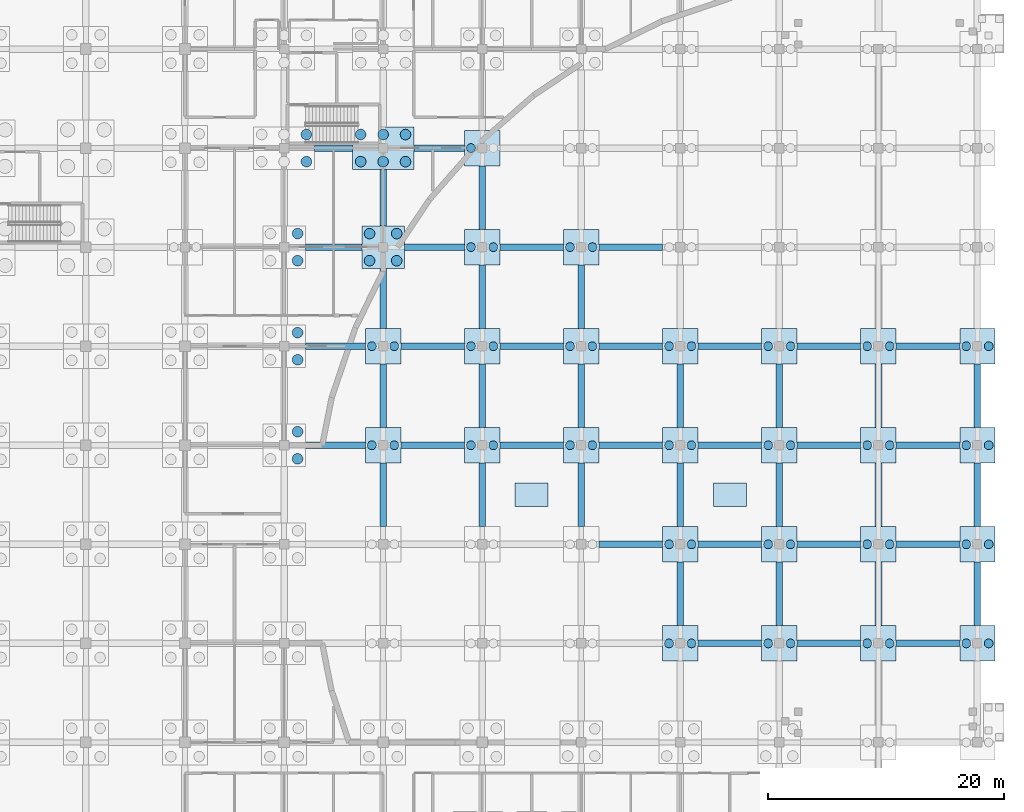
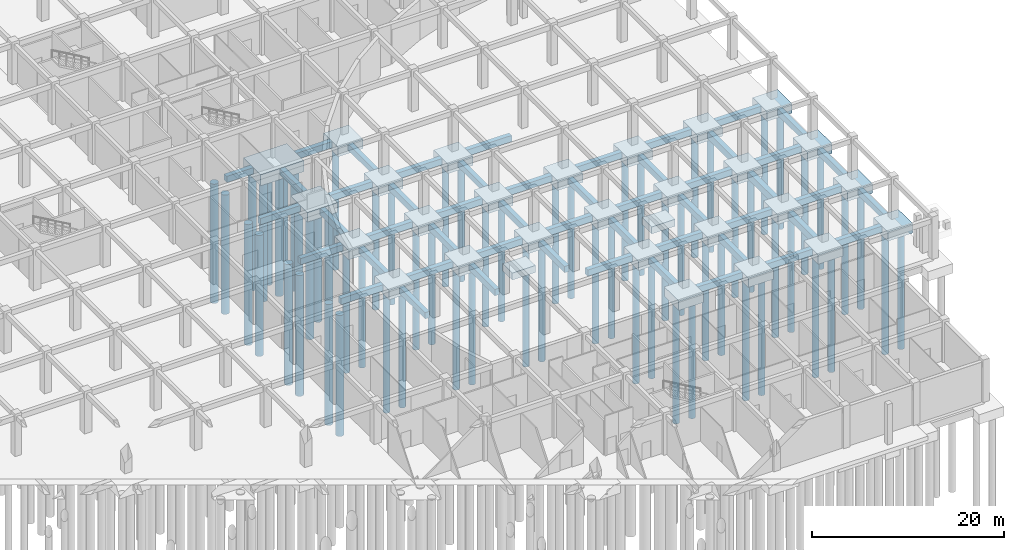
# One storey, part 14 of 65: 79 footings, 67 piles.
"""IFC4 building model written with IfcOpenShell, lengths in metres."""

from ifc_helpers import new_model, si_unit, direction, frame, origin, origin_2d, place, context, subcontext, project, spatial, rectangle, circle, extrude, material, material_profile, profile_set, type_object, element, save


model = new_model("IFC4")

# Units and contexts
model_context = context("Model", 3, precision=1e-05, world=origin(), true_north=direction((0.0, 1.0)))
body_context = subcontext(model_context, "Body", "Model", "MODEL_VIEW")
ifc_project = project(units=[si_unit("LENGTHUNIT", "METRE"), si_unit("AREAUNIT", "SQUARE_METRE"), si_unit("VOLUMEUNIT", "CUBIC_METRE"), si_unit("PLANEANGLEUNIT", "RADIAN"), si_unit("MASSUNIT", "GRAM", prefix="KILO")], contexts=[model_context])

# Site, building, storey
site_placement = place(None, origin())
site = spatial("IfcSite", under=ifc_project, at=site_placement, CompositionType="ELEMENT")
building_placement = place(site_placement, origin())
building = spatial("IfcBuilding", under=site, at=building_placement, Name="Bramfleet General Hospital", CompositionType="ELEMENT")
storey_placement = place(building_placement, frame((0.0, 0.0, -5.39990234375)))
storey = spatial("IfcBuildingStorey", under=building, at=storey_placement, Name="B1", CompositionType="ELEMENT", Elevation=-5.39990234375)

# Footings
ifc_material = material(Name="Concrete C35/45", Category="concrete")
ifc_material_profile_1 = material_profile(ifc_material, rectangle(XDim=0.550048828125, YDim=0.800048828125, at=origin_2d()), Name="RC FB 800x550")
ifc_profile_set_1 = profile_set([ifc_material_profile_1], Name="Concrete C35/45")
footing_type_1 = type_object("IfcFootingType", Name="FTG-FB-01", PredefinedType="FOOTING_BEAM", material=ifc_profile_set_1)
for number, where, z_axis, x_axis, name in (
    (1, (127.800048828125, 50.39990234375, -0.900146484375), (1.0, 0.0, 0.0), (0.0, 1.0, 0.0), "Foundation Tie Beam X 15-06"),
    (2, (127.800048828125, 58.800048828125, -0.900146484375), (1.0, 0.0, 0.0), (0.0, 1.0, 0.0), "Foundation Tie Beam X 15-07"),
):
    element("IfcFooting", number, at=place(storey_placement, frame(where, z_axis=z_axis, x_axis=x_axis)), inside=storey, type_object=footing_type_1, Name=name, PredefinedType="FOOTING_BEAM", context=body_context, shape_type="SweptSolid", body=[
        extrude(rectangle(XDim=0.550048828125, YDim=0.800048828125, at=origin_2d()), origin(), (0.0, 0.0, 1.0), 5.099853515625),
    ])
footing_1_placement = place(storey_placement, frame((127.800048828125, 67.199951171875, -0.900146484375), z_axis=(1.0, 0.0, 0.0), x_axis=(0.0, 1.0, 0.0)))
element("IfcFooting", 3, at=footing_1_placement, inside=storey, type_object=footing_type_1, Name="Foundation Tie Beam X 15-08", PredefinedType="FOOTING_BEAM", context=body_context, shape_type="SweptSolid", body=[
    extrude(rectangle(XDim=0.550048828125, YDim=0.800048828125, at=origin_2d()), origin(), (0.0, 0.0, 1.0), 4.800048828125),
])
footing_2_placement = place(storey_placement, frame((128.60009765625, 75.60009765625, -0.900146484375), z_axis=(1.0, 0.0, 0.0), x_axis=(0.0, 1.0, 0.0)))
element("IfcFooting", 4, at=footing_2_placement, inside=storey, type_object=footing_type_1, Name="Foundation Tie Beam X 15-09", PredefinedType="FOOTING_BEAM", context=body_context, shape_type="SweptSolid", body=[
    extrude(rectangle(XDim=0.550048828125, YDim=0.800048828125, at=origin_2d()), origin(), (0.0, 0.0, 1.0), 3.199951171875),
])
footing_3_placement = place(storey_placement, frame((134.39990234375, 43.5, -0.900146484375), z_axis=(0.0, 1.0, 0.0), x_axis=(-1.0, 0.0, 0.0)))
element("IfcFooting", 5, at=footing_3_placement, inside=storey, type_object=footing_type_1, Name="Foundation Tie Beam Y 16-05", PredefinedType="FOOTING_BEAM", context=body_context, shape_type="SweptSolid", body=[
    extrude(rectangle(XDim=0.550048828125, YDim=0.800048828125, at=origin_2d()), origin(), (0.0, 0.0, 1.0), 5.39990234375),
])
for number, where, z_axis, x_axis, name in (
    (6, (135.89990234375, 50.39990234375, -0.900146484375), (1.0, 0.0, 0.0), (0.0, 1.0, 0.0), "Foundation Tie Beam X 16-06"),
    (7, (134.39990234375, 51.89990234375, -0.900146484375), (0.0, 1.0, 0.0), (-1.0, 0.0, 0.0), "Foundation Tie Beam Y 16-06"),
    (8, (135.89990234375, 58.800048828125, -0.900146484375), (1.0, 0.0, 0.0), (0.0, 1.0, 0.0), "Foundation Tie Beam X 16-07"),
):
    element("IfcFooting", number, at=place(storey_placement, frame(where, z_axis=z_axis, x_axis=x_axis)), inside=storey, type_object=footing_type_1, Name=name, PredefinedType="FOOTING_BEAM", context=body_context, shape_type="SweptSolid", body=[
        extrude(rectangle(XDim=0.550048828125, YDim=0.800048828125, at=origin_2d()), origin(), (0.0, 0.0, 1.0), 5.400146484375),
    ])
footing_4_placement = place(storey_placement, frame((134.39990234375, 60.300048828125, -0.900146484375), z_axis=(0.0, 1.0, 0.0), x_axis=(-1.0, 0.0, 0.0)))
element("IfcFooting", 9, at=footing_4_placement, inside=storey, type_object=footing_type_1, Name="Foundation Tie Beam Y 16-07", PredefinedType="FOOTING_BEAM", context=body_context, shape_type="SweptSolid", body=[
    extrude(rectangle(XDim=0.550048828125, YDim=0.800048828125, at=origin_2d()), origin(), (0.0, 0.0, 1.0), 5.099853515625),
])
footing_5_placement = place(storey_placement, frame((136.199951171875, 67.199951171875, -0.900146484375), z_axis=(1.0, 0.0, 0.0), x_axis=(0.0, 1.0, 0.0)))
element("IfcFooting", 10, at=footing_5_placement, inside=storey, type_object=footing_type_1, Name="Foundation Tie Beam X 16-08", PredefinedType="FOOTING_BEAM", context=body_context, shape_type="SweptSolid", body=[
    extrude(rectangle(XDim=0.550048828125, YDim=0.800048828125, at=origin_2d()), origin(), (0.0, 0.0, 1.0), 5.10009765625),
])
footing_6_placement = place(storey_placement, frame((134.39990234375, 69.0, -0.900146484375), z_axis=(0.0, 1.0, 0.0), x_axis=(-1.0, 0.0, 0.0)))
element("IfcFooting", 11, at=footing_6_placement, inside=storey, type_object=footing_type_1, Name="Foundation Tie Beam Y 16-08", PredefinedType="FOOTING_BEAM", context=body_context, shape_type="SweptSolid", body=[
    extrude(rectangle(XDim=0.550048828125, YDim=0.800048828125, at=origin_2d()), origin(), (0.0, 0.0, 1.0), 4.800048828125),
])
footing_7_placement = place(storey_placement, frame((137.0, 75.60009765625, -0.900146484375), z_axis=(1.0, 0.0, 0.0), x_axis=(0.0, 1.0, 0.0)))
element("IfcFooting", 12, at=footing_7_placement, inside=storey, type_object=footing_type_1, Name="Foundation Tie Beam X 16-09", PredefinedType="FOOTING_BEAM", context=body_context, shape_type="SweptSolid", body=[
    extrude(rectangle(XDim=0.550048828125, YDim=0.800048828125, at=origin_2d()), origin(), (0.0, 0.0, 1.0), 4.300048828125),
])
for number, where, z_axis, x_axis, name in (
    (13, (142.800048828125, 43.5, -0.900146484375), (0.0, 1.0, 0.0), (-1.0, 0.0, 0.0), "Foundation Tie Beam Y 17-05"),
    (14, (144.300048828125, 50.39990234375, -0.900146484375), (1.0, 0.0, 0.0), (0.0, 1.0, 0.0), "Foundation Tie Beam X 17-06"),
):
    element("IfcFooting", number, at=place(storey_placement, frame(where, z_axis=z_axis, x_axis=x_axis)), inside=storey, type_object=footing_type_1, Name=name, PredefinedType="FOOTING_BEAM", context=body_context, shape_type="SweptSolid", body=[
        extrude(rectangle(XDim=0.550048828125, YDim=0.800048828125, at=origin_2d()), origin(), (0.0, 0.0, 1.0), 5.39990234375),
    ])
footing_8_placement = place(storey_placement, frame((142.800048828125, 51.89990234375, -0.900146484375), z_axis=(0.0, 1.0, 0.0), x_axis=(-1.0, 0.0, 0.0)))
element("IfcFooting", 15, at=footing_8_placement, inside=storey, type_object=footing_type_1, Name="Foundation Tie Beam Y 17-06", PredefinedType="FOOTING_BEAM", context=body_context, shape_type="SweptSolid", body=[
    extrude(rectangle(XDim=0.550048828125, YDim=0.800048828125, at=origin_2d()), origin(), (0.0, 0.0, 1.0), 5.400146484375),
])
for number, where, z_axis, x_axis, name in (
    (16, (144.300048828125, 58.800048828125, -0.900146484375), (1.0, 0.0, 0.0), (0.0, 1.0, 0.0), "Foundation Tie Beam X 17-07"),
    (17, (142.800048828125, 60.300048828125, -0.900146484375), (0.0, 1.0, 0.0), (-1.0, 0.0, 0.0), "Foundation Tie Beam Y 17-07"),
    (18, (144.300048828125, 67.199951171875, -0.900146484375), (1.0, 0.0, 0.0), (0.0, 1.0, 0.0), "Foundation Tie Beam X 17-08"),
):
    element("IfcFooting", number, at=place(storey_placement, frame(where, z_axis=z_axis, x_axis=x_axis)), inside=storey, type_object=footing_type_1, Name=name, PredefinedType="FOOTING_BEAM", context=body_context, shape_type="SweptSolid", body=[
        extrude(rectangle(XDim=0.550048828125, YDim=0.800048828125, at=origin_2d()), origin(), (0.0, 0.0, 1.0), 5.39990234375),
    ])
for number, where, z_axis, x_axis, name in (
    (19, (142.800048828125, 68.699951171875, -0.900146484375), (0.0, 1.0, 0.0), (-1.0, 0.0, 0.0), "Foundation Tie Beam Y 17-08"),
    (20, (152.699951171875, 42.0, -0.900146484375), (1.0, 0.0, 0.0), (0.0, 1.0, 0.0), "Foundation Tie Beam X 18-05"),
):
    element("IfcFooting", number, at=place(storey_placement, frame(where, z_axis=z_axis, x_axis=x_axis)), inside=storey, type_object=footing_type_1, Name=name, PredefinedType="FOOTING_BEAM", context=body_context, shape_type="SweptSolid", body=[
        extrude(rectangle(XDim=0.550048828125, YDim=0.800048828125, at=origin_2d()), origin(), (0.0, 0.0, 1.0), 5.400146484375),
    ])
footing_9_placement = place(storey_placement, frame((151.199951171875, 43.5, -0.900146484375), z_axis=(0.0, 1.0, 0.0), x_axis=(-1.0, 0.0, 0.0)))
element("IfcFooting", 21, at=footing_9_placement, inside=storey, type_object=footing_type_1, Name="Foundation Tie Beam Y 18-05", PredefinedType="FOOTING_BEAM", context=body_context, shape_type="SweptSolid", body=[
    extrude(rectangle(XDim=0.550048828125, YDim=0.800048828125, at=origin_2d()), origin(), (0.0, 0.0, 1.0), 5.39990234375),
])
for number, where, z_axis, x_axis, name in (
    (22, (152.699951171875, 50.39990234375, -0.900146484375), (1.0, 0.0, 0.0), (0.0, 1.0, 0.0), "Foundation Tie Beam X 18-06"),
    (23, (151.199951171875, 51.89990234375, -0.900146484375), (0.0, 1.0, 0.0), (-1.0, 0.0, 0.0), "Foundation Tie Beam Y 18-06"),
    (24, (152.699951171875, 58.800048828125, -0.900146484375), (1.0, 0.0, 0.0), (0.0, 1.0, 0.0), "Foundation Tie Beam X 18-07"),
):
    element("IfcFooting", number, at=place(storey_placement, frame(where, z_axis=z_axis, x_axis=x_axis)), inside=storey, type_object=footing_type_1, Name=name, PredefinedType="FOOTING_BEAM", context=body_context, shape_type="SweptSolid", body=[
        extrude(rectangle(XDim=0.550048828125, YDim=0.800048828125, at=origin_2d()), origin(), (0.0, 0.0, 1.0), 5.400146484375),
    ])
footing_10_placement = place(storey_placement, frame((151.199951171875, 60.300048828125, -0.900146484375), z_axis=(0.0, 1.0, 0.0), x_axis=(-1.0, 0.0, 0.0)))
element("IfcFooting", 25, at=footing_10_placement, inside=storey, type_object=footing_type_1, Name="Foundation Tie Beam Y 18-07", PredefinedType="FOOTING_BEAM", context=body_context, shape_type="SweptSolid", body=[
    extrude(rectangle(XDim=0.550048828125, YDim=0.800048828125, at=origin_2d()), origin(), (0.0, 0.0, 1.0), 5.39990234375),
])
footing_11_placement = place(storey_placement, frame((152.699951171875, 67.199951171875, -0.900146484375), z_axis=(1.0, 0.0, 0.0), x_axis=(0.0, 1.0, 0.0)))
element("IfcFooting", 26, at=footing_11_placement, inside=storey, type_object=footing_type_1, Name="Foundation Tie Beam X 18-08", PredefinedType="FOOTING_BEAM", context=body_context, shape_type="SweptSolid", body=[
    extrude(rectangle(XDim=0.550048828125, YDim=0.800048828125, at=origin_2d()), origin(), (0.0, 0.0, 1.0), 5.400146484375),
])
for number, where, z_axis, x_axis, name in (
    (27, (161.10009765625, 33.60009765625, -0.900146484375), (1.0, 0.0, 0.0), (0.0, 1.0, 0.0), "Foundation Tie Beam X 19-04"),
    (28, (159.60009765625, 35.10009765625, -0.900146484375), (0.0, 1.0, 0.0), (-1.0, 0.0, 0.0), "Foundation Tie Beam Y 19-04"),
    (29, (161.10009765625, 42.0, -0.900146484375), (1.0, 0.0, 0.0), (0.0, 1.0, 0.0), "Foundation Tie Beam X 19-05"),
    (30, (159.60009765625, 43.5, -0.900146484375), (0.0, 1.0, 0.0), (-1.0, 0.0, 0.0), "Foundation Tie Beam Y 19-05"),
    (31, (161.10009765625, 50.39990234375, -0.900146484375), (1.0, 0.0, 0.0), (0.0, 1.0, 0.0), "Foundation Tie Beam X 19-06"),
):
    element("IfcFooting", number, at=place(storey_placement, frame(where, z_axis=z_axis, x_axis=x_axis)), inside=storey, type_object=footing_type_1, Name=name, PredefinedType="FOOTING_BEAM", context=body_context, shape_type="SweptSolid", body=[
        extrude(rectangle(XDim=0.550048828125, YDim=0.800048828125, at=origin_2d()), origin(), (0.0, 0.0, 1.0), 5.39990234375),
    ])
footing_12_placement = place(storey_placement, frame((159.60009765625, 51.89990234375, -0.900146484375), z_axis=(0.0, 1.0, 0.0), x_axis=(-1.0, 0.0, 0.0)))
element("IfcFooting", 32, at=footing_12_placement, inside=storey, type_object=footing_type_1, Name="Foundation Tie Beam Y 19-06", PredefinedType="FOOTING_BEAM", context=body_context, shape_type="SweptSolid", body=[
    extrude(rectangle(XDim=0.550048828125, YDim=0.800048828125, at=origin_2d()), origin(), (0.0, 0.0, 1.0), 5.400146484375),
])
for number, where, z_axis, x_axis, name in (
    (33, (161.10009765625, 58.800048828125, -0.900146484375), (1.0, 0.0, 0.0), (0.0, 1.0, 0.0), "Foundation Tie Beam X 19-07"),
    (34, (169.5, 33.60009765625, -0.900146484375), (1.0, 0.0, 0.0), (0.0, 1.0, 0.0), "Foundation Tie Beam X 20-04"),
    (35, (168.0, 35.10009765625, -0.900146484375), (0.0, 1.0, 0.0), (-1.0, 0.0, 0.0), "Foundation Tie Beam Y 20-04"),
    (36, (169.5, 42.0, -0.900146484375), (1.0, 0.0, 0.0), (0.0, 1.0, 0.0), "Foundation Tie Beam X 20-05"),
    (37, (168.0, 43.5, -0.900146484375), (0.0, 1.0, 0.0), (-1.0, 0.0, 0.0), "Foundation Tie Beam Y 20-05"),
    (38, (169.5, 50.39990234375, -0.900146484375), (1.0, 0.0, 0.0), (0.0, 1.0, 0.0), "Foundation Tie Beam X 20-06"),
):
    element("IfcFooting", number, at=place(storey_placement, frame(where, z_axis=z_axis, x_axis=x_axis)), inside=storey, type_object=footing_type_1, Name=name, PredefinedType="FOOTING_BEAM", context=body_context, shape_type="SweptSolid", body=[
        extrude(rectangle(XDim=0.550048828125, YDim=0.800048828125, at=origin_2d()), origin(), (0.0, 0.0, 1.0), 5.39990234375),
    ])
footing_13_placement = place(storey_placement, frame((168.0, 51.89990234375, -0.900146484375), z_axis=(0.0, 1.0, 0.0), x_axis=(-1.0, 0.0, 0.0)))
element("IfcFooting", 39, at=footing_13_placement, inside=storey, type_object=footing_type_1, Name="Foundation Tie Beam Y 20-06", PredefinedType="FOOTING_BEAM", context=body_context, shape_type="SweptSolid", body=[
    extrude(rectangle(XDim=0.550048828125, YDim=0.800048828125, at=origin_2d()), origin(), (0.0, 0.0, 1.0), 5.400146484375),
])
footing_14_placement = place(storey_placement, frame((169.5, 58.800048828125, -0.900146484375), z_axis=(1.0, 0.0, 0.0), x_axis=(0.0, 1.0, 0.0)))
element("IfcFooting", 40, at=footing_14_placement, inside=storey, type_object=footing_type_1, Name="Foundation Tie Beam X 20-07", PredefinedType="FOOTING_BEAM", context=body_context, shape_type="SweptSolid", body=[
    extrude(rectangle(XDim=0.550048828125, YDim=0.800048828125, at=origin_2d()), origin(), (0.0, 0.0, 1.0), 5.39990234375),
])
for number, where, z_axis, x_axis, name in (
    (41, (177.89990234375, 33.60009765625, -0.900146484375), (1.0, 0.0, 0.0), (0.0, 1.0, 0.0), "Foundation Tie Beam X 21-04"),
    (42, (177.89990234375, 42.0, -0.900146484375), (1.0, 0.0, 0.0), (0.0, 1.0, 0.0), "Foundation Tie Beam X 21-05"),
    (43, (177.89990234375, 50.39990234375, -0.900146484375), (1.0, 0.0, 0.0), (0.0, 1.0, 0.0), "Foundation Tie Beam X 21-06"),
    (44, (177.89990234375, 58.800048828125, -0.900146484375), (1.0, 0.0, 0.0), (0.0, 1.0, 0.0), "Foundation Tie Beam X 21-07"),
):
    element("IfcFooting", number, at=place(storey_placement, frame(where, z_axis=z_axis, x_axis=x_axis)), inside=storey, type_object=footing_type_1, Name=name, PredefinedType="FOOTING_BEAM", context=body_context, shape_type="SweptSolid", body=[
        extrude(rectangle(XDim=0.550048828125, YDim=0.800048828125, at=origin_2d()), origin(), (0.0, 0.0, 1.0), 5.400146484375),
    ])
for number, where, z_axis, x_axis, name in (
    (45, (184.800048828125, 35.10009765625, -0.900146484375), (0.0, 1.0, 0.0), (-1.0, 0.0, 0.0), "Foundation Tie Beam Y 22-04"),
    (46, (184.800048828125, 43.5, -0.900146484375), (0.0, 1.0, 0.0), (-1.0, 0.0, 0.0), "Foundation Tie Beam Y 22-05"),
):
    element("IfcFooting", number, at=place(storey_placement, frame(where, z_axis=z_axis, x_axis=x_axis)), inside=storey, type_object=footing_type_1, Name=name, PredefinedType="FOOTING_BEAM", context=body_context, shape_type="SweptSolid", body=[
        extrude(rectangle(XDim=0.550048828125, YDim=0.800048828125, at=origin_2d()), origin(), (0.0, 0.0, 1.0), 5.39990234375),
    ])
footing_15_placement = place(storey_placement, frame((184.800048828125, 51.89990234375, -0.900146484375), z_axis=(0.0, 1.0, 0.0), x_axis=(-1.0, 0.0, 0.0)))
element("IfcFooting", 47, at=footing_15_placement, inside=storey, type_object=footing_type_1, Name="Foundation Tie Beam Y 22-06", PredefinedType="FOOTING_BEAM", context=body_context, shape_type="SweptSolid", body=[
    extrude(rectangle(XDim=0.550048828125, YDim=0.800048828125, at=origin_2d()), origin(), (0.0, 0.0, 1.0), 5.400146484375),
])
ifc_material_profile_2 = material_profile(ifc_material, rectangle(XDim=0.60009765625, YDim=0.89990234375, at=origin_2d()), Name="RC FB 900x600")
ifc_profile_set_2 = profile_set([ifc_material_profile_2], Name="Concrete C35/45")
footing_type_2 = type_object("IfcFootingType", Name="FTG-FB-02", PredefinedType="FOOTING_BEAM", material=ifc_profile_set_2)
for number, where, z_axis, x_axis, name in (
    (48, (176.39990234375, 35.10009765625, -0.9501953125), (0.0, 1.0, 0.0), (-1.0, 0.0, 0.0), "Foundation Tie Beam Y 21-04"),
    (49, (176.39990234375, 43.5, -0.9501953125), (0.0, 1.0, 0.0), (-1.0, 0.0, 0.0), "Foundation Tie Beam Y 21-05"),
):
    element("IfcFooting", number, at=place(storey_placement, frame(where, z_axis=z_axis, x_axis=x_axis)), inside=storey, type_object=footing_type_2, Name=name, PredefinedType="FOOTING_BEAM", context=body_context, shape_type="SweptSolid", body=[
        extrude(rectangle(XDim=0.60009765625, YDim=0.89990234375, at=origin_2d()), origin(), (0.0, 0.0, 1.0), 5.39990234375),
    ])
footing_16_placement = place(storey_placement, frame((176.39990234375, 51.89990234375, -0.9501953125), z_axis=(0.0, 1.0, 0.0), x_axis=(-1.0, 0.0, 0.0)))
element("IfcFooting", 50, at=footing_16_placement, inside=storey, type_object=footing_type_2, Name="Foundation Tie Beam Y 21-06", PredefinedType="FOOTING_BEAM", context=body_context, shape_type="SweptSolid", body=[
    extrude(rectangle(XDim=0.60009765625, YDim=0.89990234375, at=origin_2d()), origin(), (0.0, 0.0, 1.0), 5.400146484375),
])
footing_type_3 = type_object("IfcFootingType", Name="FTG-PC-01", PredefinedType="PILE_CAP", material=ifc_material)
for number, where, z_axis, x_axis, name in (
    (51, (134.39990234375, 50.39990234375, -1.7001953125), (0.0, 0.0, 1.0), (1.0, 0.0, 0.0), "Pile Cap FTG-B1-16-06"),
    (52, (134.39990234375, 58.800048828125, -1.7001953125), (0.0, 0.0, 1.0), (1.0, 0.0, 0.0), "Pile Cap FTG-B1-16-07"),
    (53, (142.800048828125, 50.39990234375, -1.7001953125), (0.0, 0.0, 1.0), (1.0, 0.0, 0.0), "Pile Cap FTG-B1-17-06"),
    (54, (142.800048828125, 58.800048828125, -1.7001953125), (0.0, 0.0, 1.0), (1.0, 0.0, 0.0), "Pile Cap FTG-B1-17-07"),
    (55, (142.800048828125, 67.199951171875, -1.7001953125), (0.0, 0.0, 1.0), (1.0, 0.0, 0.0), "Pile Cap FTG-B1-17-08"),
    (56, (142.800048828125, 75.60009765625, -1.7001953125), (0.0, 0.0, 1.0), (1.0, 0.0, 0.0), "Pile Cap FTG-B1-17-09"),
    (57, (151.199951171875, 50.39990234375, -1.7001953125), (0.0, 0.0, 1.0), (1.0, 0.0, 0.0), "Pile Cap FTG-B1-18-06"),
    (58, (151.199951171875, 58.800048828125, -1.7001953125), (0.0, 0.0, 1.0), (1.0, 0.0, 0.0), "Pile Cap FTG-B1-18-07"),
    (59, (151.199951171875, 67.199951171875, -1.7001953125), (0.0, 0.0, 1.0), (1.0, 0.0, 0.0), "Pile Cap FTG-B1-18-08"),
    (60, (159.60009765625, 33.60009765625, -1.7001953125), (0.0, 0.0, 1.0), (1.0, 0.0, 0.0), "Pile Cap FTG-B1-19-04"),
    (61, (159.60009765625, 42.0, -1.7001953125), (0.0, 0.0, 1.0), (1.0, 0.0, 0.0), "Pile Cap FTG-B1-19-05"),
    (62, (159.60009765625, 50.39990234375, -1.7001953125), (0.0, 0.0, 1.0), (1.0, 0.0, 0.0), "Pile Cap FTG-B1-19-06"),
    (63, (159.60009765625, 58.800048828125, -1.7001953125), (0.0, 0.0, 1.0), (1.0, 0.0, 0.0), "Pile Cap FTG-B1-19-07"),
    (64, (168.0, 33.60009765625, -1.7001953125), (0.0, 0.0, 1.0), (1.0, 0.0, 0.0), "Pile Cap FTG-B1-20-04"),
    (65, (168.0, 42.0, -1.7001953125), (0.0, 0.0, 1.0), (1.0, 0.0, 0.0), "Pile Cap FTG-B1-20-05"),
    (66, (168.0, 50.39990234375, -1.7001953125), (0.0, 0.0, 1.0), (1.0, 0.0, 0.0), "Pile Cap FTG-B1-20-06"),
    (67, (168.0, 58.800048828125, -1.7001953125), (0.0, 0.0, 1.0), (1.0, 0.0, 0.0), "Pile Cap FTG-B1-20-07"),
    (68, (176.39990234375, 33.60009765625, -1.7001953125), (0.0, 0.0, 1.0), (1.0, 0.0, 0.0), "Pile Cap FTG-B1-21-04"),
    (69, (176.39990234375, 42.0, -1.7001953125), (0.0, 0.0, 1.0), (1.0, 0.0, 0.0), "Pile Cap FTG-B1-21-05"),
    (70, (176.39990234375, 50.39990234375, -1.7001953125), (0.0, 0.0, 1.0), (1.0, 0.0, 0.0), "Pile Cap FTG-B1-21-06"),
    (71, (176.39990234375, 58.800048828125, -1.7001953125), (0.0, 0.0, 1.0), (1.0, 0.0, 0.0), "Pile Cap FTG-B1-21-07"),
    (72, (184.800048828125, 33.60009765625, -1.7001953125), (0.0, 0.0, 1.0), (1.0, 0.0, 0.0), "Pile Cap FTG-B1-22-04"),
    (73, (184.800048828125, 42.0, -1.7001953125), (0.0, 0.0, 1.0), (1.0, 0.0, 0.0), "Pile Cap FTG-B1-22-05"),
    (74, (184.800048828125, 50.39990234375, -1.7001953125), (0.0, 0.0, 1.0), (1.0, 0.0, 0.0), "Pile Cap FTG-B1-22-06"),
    (75, (184.800048828125, 58.800048828125, -1.7001953125), (0.0, 0.0, 1.0), (1.0, 0.0, 0.0), "Pile Cap FTG-B1-22-07"),
):
    element("IfcFooting", number, at=place(storey_placement, frame(where, z_axis=z_axis, x_axis=x_axis)), inside=storey, type_object=footing_type_3, Name=name, PredefinedType="PILE_CAP", context=body_context, shape_type="SweptSolid", body=[
        extrude(rectangle(XDim=3.0, YDim=3.0, at=origin_2d()), origin(), (0.0, 0.0, 1.0), 1.199951171875),
    ])
footing_type_4 = type_object("IfcFootingType", Name="FTG-PC-03", PredefinedType="PILE_CAP", material=ifc_material)
footing_17_placement = place(storey_placement, frame((134.39990234375, 67.199951171875, -1.7001953125), z_axis=(0.0, 0.0, 1.0), x_axis=(1.0, 0.0, 0.0)))
element("IfcFooting", 76, at=footing_17_placement, inside=storey, type_object=footing_type_4, Name="Pile Cap FTG-B1-16-08", PredefinedType="PILE_CAP", context=body_context, shape_type="SweptSolid", body=[
    extrude(rectangle(XDim=3.60009765625, YDim=3.60009765625, at=origin_2d()), origin(), (0.0, 0.0, 1.0), 1.199951171875),
])
footing_type_5 = type_object("IfcFootingType", Name="FTG-PC-06", PredefinedType="PILE_CAP", material=ifc_material)
footing_18_placement = place(storey_placement, frame((134.39990234375, 75.60009765625, -1.900146484375), z_axis=(0.0, 0.0, 1.0), x_axis=(1.0, 0.0, 0.0)))
element("IfcFooting", 77, at=footing_18_placement, inside=storey, type_object=footing_type_5, Name="Pile Cap FTG-B1-16-09", PredefinedType="PILE_CAP", context=body_context, shape_type="SweptSolid", body=[
    extrude(rectangle(XDim=5.199951171875, YDim=3.60009765625, at=origin_2d()), origin(), (0.0, 0.0, 1.0), 1.39990234375),
])
footing_type_6 = type_object("IfcFootingType", Name="FTG-PF-03", PredefinedType="PAD_FOOTING", material=ifc_material)
for number, where, z_axis, x_axis, name in (
    (78, (147.0, 46.199951171875, -1.400146484375), (0.0, 0.0, 1.0), (1.0, 0.0, 0.0), "Garden Plinth Pad Footing 1"),
    (79, (163.800048828125, 46.199951171875, -1.400146484375), (0.0, 0.0, 1.0), (1.0, 0.0, 0.0), "Garden Plinth Pad Footing 2"),
):
    element("IfcFooting", number, at=place(storey_placement, frame(where, z_axis=z_axis, x_axis=x_axis)), inside=storey, type_object=footing_type_6, Name=name, PredefinedType="PAD_FOOTING", context=body_context, shape_type="SweptSolid", body=[
        extrude(rectangle(XDim=2.800048828125, YDim=2.0, at=origin_2d()), origin(), (0.0, 0.0, 1.0), 0.89990234375),
    ])

# Piles
ifc_material_profile_3 = material_profile(ifc_material, circle(Radius=0.375, at=origin_2d()), Name="PILE BORED D750")
ifc_profile_set_3 = profile_set([ifc_material_profile_3], Name="Concrete C35/45")
pile_type_1 = type_object("IfcPileType", Name="PILE-D750", PredefinedType="BORED", material=ifc_profile_set_3)
for number, where, z_axis, x_axis, name in (
    (80, (133.449951171875, 50.39990234375, -1.60009765625), (0.0, 0.0, -1.0), (1.0, 0.0, 0.0), "Bored Pile PILE-B1-16-06-1"),
    (81, (135.35009765625, 50.39990234375, -1.60009765625), (0.0, 0.0, -1.0), (1.0, 0.0, 0.0), "Bored Pile PILE-B1-16-06-2"),
    (82, (133.449951171875, 58.800048828125, -1.60009765625), (0.0, 0.0, -1.0), (1.0, 0.0, 0.0), "Bored Pile PILE-B1-16-07-1"),
    (83, (135.35009765625, 58.800048828125, -1.60009765625), (0.0, 0.0, -1.0), (1.0, 0.0, 0.0), "Bored Pile PILE-B1-16-07-2"),
    (84, (141.85009765625, 50.39990234375, -1.60009765625), (0.0, 0.0, -1.0), (1.0, 0.0, 0.0), "Bored Pile PILE-B1-17-06-1"),
    (85, (143.75, 50.39990234375, -1.60009765625), (0.0, 0.0, -1.0), (1.0, 0.0, 0.0), "Bored Pile PILE-B1-17-06-2"),
    (86, (141.85009765625, 58.800048828125, -1.60009765625), (0.0, 0.0, -1.0), (1.0, 0.0, 0.0), "Bored Pile PILE-B1-17-07-1"),
    (87, (143.75, 58.800048828125, -1.60009765625), (0.0, 0.0, -1.0), (1.0, 0.0, 0.0), "Bored Pile PILE-B1-17-07-2"),
    (88, (141.85009765625, 67.199951171875, -1.60009765625), (0.0, 0.0, -1.0), (1.0, 0.0, 0.0), "Bored Pile PILE-B1-17-08-1"),
    (89, (143.75, 67.199951171875, -1.60009765625), (0.0, 0.0, -1.0), (1.0, 0.0, 0.0), "Bored Pile PILE-B1-17-08-2"),
    (90, (141.85009765625, 75.60009765625, -1.60009765625), (0.0, 0.0, -1.0), (1.0, 0.0, 0.0), "Bored Pile PILE-B1-17-09-1"),
    (91, (150.25, 50.39990234375, -1.60009765625), (0.0, 0.0, -1.0), (1.0, 0.0, 0.0), "Bored Pile PILE-B1-18-06-1"),
    (92, (152.14990234375, 50.39990234375, -1.60009765625), (0.0, 0.0, -1.0), (1.0, 0.0, 0.0), "Bored Pile PILE-B1-18-06-2"),
    (93, (150.25, 58.800048828125, -1.60009765625), (0.0, 0.0, -1.0), (1.0, 0.0, 0.0), "Bored Pile PILE-B1-18-07-1"),
    (94, (152.14990234375, 58.800048828125, -1.60009765625), (0.0, 0.0, -1.0), (1.0, 0.0, 0.0), "Bored Pile PILE-B1-18-07-2"),
    (95, (150.25, 67.199951171875, -1.60009765625), (0.0, 0.0, -1.0), (1.0, 0.0, 0.0), "Bored Pile PILE-B1-18-08-1"),
    (96, (152.14990234375, 67.199951171875, -1.60009765625), (0.0, 0.0, -1.0), (1.0, 0.0, 0.0), "Bored Pile PILE-B1-18-08-2"),
    (97, (158.64990234375, 33.60009765625, -1.60009765625), (0.0, 0.0, -1.0), (1.0, 0.0, 0.0), "Bored Pile PILE-B1-19-04-1"),
    (98, (160.550048828125, 33.60009765625, -1.60009765625), (0.0, 0.0, -1.0), (1.0, 0.0, 0.0), "Bored Pile PILE-B1-19-04-2"),
    (99, (158.64990234375, 42.0, -1.60009765625), (0.0, 0.0, -1.0), (1.0, 0.0, 0.0), "Bored Pile PILE-B1-19-05-1"),
    (100, (160.550048828125, 42.0, -1.60009765625), (0.0, 0.0, -1.0), (1.0, 0.0, 0.0), "Bored Pile PILE-B1-19-05-2"),
    (101, (158.64990234375, 50.39990234375, -1.60009765625), (0.0, 0.0, -1.0), (1.0, 0.0, 0.0), "Bored Pile PILE-B1-19-06-1"),
    (102, (160.550048828125, 50.39990234375, -1.60009765625), (0.0, 0.0, -1.0), (1.0, 0.0, 0.0), "Bored Pile PILE-B1-19-06-2"),
    (103, (158.64990234375, 58.800048828125, -1.60009765625), (0.0, 0.0, -1.0), (1.0, 0.0, 0.0), "Bored Pile PILE-B1-19-07-1"),
    (104, (160.550048828125, 58.800048828125, -1.60009765625), (0.0, 0.0, -1.0), (1.0, 0.0, 0.0), "Bored Pile PILE-B1-19-07-2"),
    (105, (167.050048828125, 33.60009765625, -1.60009765625), (0.0, 0.0, -1.0), (1.0, 0.0, 0.0), "Bored Pile PILE-B1-20-04-1"),
    (106, (168.949951171875, 33.60009765625, -1.60009765625), (0.0, 0.0, -1.0), (1.0, 0.0, 0.0), "Bored Pile PILE-B1-20-04-2"),
    (107, (167.050048828125, 42.0, -1.60009765625), (0.0, 0.0, -1.0), (1.0, 0.0, 0.0), "Bored Pile PILE-B1-20-05-1"),
    (108, (168.949951171875, 42.0, -1.60009765625), (0.0, 0.0, -1.0), (1.0, 0.0, 0.0), "Bored Pile PILE-B1-20-05-2"),
    (109, (167.050048828125, 50.39990234375, -1.60009765625), (0.0, 0.0, -1.0), (1.0, 0.0, 0.0), "Bored Pile PILE-B1-20-06-1"),
    (110, (168.949951171875, 50.39990234375, -1.60009765625), (0.0, 0.0, -1.0), (1.0, 0.0, 0.0), "Bored Pile PILE-B1-20-06-2"),
    (111, (167.050048828125, 58.800048828125, -1.60009765625), (0.0, 0.0, -1.0), (1.0, 0.0, 0.0), "Bored Pile PILE-B1-20-07-1"),
    (112, (168.949951171875, 58.800048828125, -1.60009765625), (0.0, 0.0, -1.0), (1.0, 0.0, 0.0), "Bored Pile PILE-B1-20-07-2"),
    (113, (175.449951171875, 33.60009765625, -1.60009765625), (0.0, 0.0, -1.0), (1.0, 0.0, 0.0), "Bored Pile PILE-B1-21-04-1"),
    (114, (177.35009765625, 33.60009765625, -1.60009765625), (0.0, 0.0, -1.0), (1.0, 0.0, 0.0), "Bored Pile PILE-B1-21-04-2"),
    (115, (175.449951171875, 42.0, -1.60009765625), (0.0, 0.0, -1.0), (1.0, 0.0, 0.0), "Bored Pile PILE-B1-21-05-1"),
    (116, (177.35009765625, 42.0, -1.60009765625), (0.0, 0.0, -1.0), (1.0, 0.0, 0.0), "Bored Pile PILE-B1-21-05-2"),
    (117, (175.449951171875, 50.39990234375, -1.60009765625), (0.0, 0.0, -1.0), (1.0, 0.0, 0.0), "Bored Pile PILE-B1-21-06-1"),
    (118, (177.35009765625, 50.39990234375, -1.60009765625), (0.0, 0.0, -1.0), (1.0, 0.0, 0.0), "Bored Pile PILE-B1-21-06-2"),
    (119, (175.449951171875, 58.800048828125, -1.60009765625), (0.0, 0.0, -1.0), (1.0, 0.0, 0.0), "Bored Pile PILE-B1-21-07-1"),
    (120, (177.35009765625, 58.800048828125, -1.60009765625), (0.0, 0.0, -1.0), (1.0, 0.0, 0.0), "Bored Pile PILE-B1-21-07-2"),
    (121, (183.85009765625, 33.60009765625, -1.60009765625), (0.0, 0.0, -1.0), (1.0, 0.0, 0.0), "Bored Pile PILE-B1-22-04-1"),
    (122, (185.75, 33.60009765625, -1.60009765625), (0.0, 0.0, -1.0), (1.0, 0.0, 0.0), "Bored Pile PILE-B1-22-04-2"),
    (123, (183.85009765625, 42.0, -1.60009765625), (0.0, 0.0, -1.0), (1.0, 0.0, 0.0), "Bored Pile PILE-B1-22-05-1"),
    (124, (185.75, 42.0, -1.60009765625), (0.0, 0.0, -1.0), (1.0, 0.0, 0.0), "Bored Pile PILE-B1-22-05-2"),
    (125, (183.85009765625, 50.39990234375, -1.60009765625), (0.0, 0.0, -1.0), (1.0, 0.0, 0.0), "Bored Pile PILE-B1-22-06-1"),
    (126, (185.75, 50.39990234375, -1.60009765625), (0.0, 0.0, -1.0), (1.0, 0.0, 0.0), "Bored Pile PILE-B1-22-06-2"),
    (127, (183.85009765625, 58.800048828125, -1.60009765625), (0.0, 0.0, -1.0), (1.0, 0.0, 0.0), "Bored Pile PILE-B1-22-07-1"),
    (128, (185.75, 58.800048828125, -1.60009765625), (0.0, 0.0, -1.0), (1.0, 0.0, 0.0), "Bored Pile PILE-B1-22-07-2"),
):
    element("IfcPile", number, at=place(storey_placement, frame(where, z_axis=z_axis, x_axis=x_axis)), inside=storey, type_object=pile_type_1, Name=name, PredefinedType="BORED", context=body_context, shape_type="SweptSolid", body=[
        extrude(circle(Radius=0.375, at=origin_2d()), origin(), (0.0, 0.0, 1.0), 15.39990234375),
    ])
ifc_material_profile_4 = material_profile(ifc_material, circle(Radius=0.449951171875, at=origin_2d()), Name="PILE BORED D900")
ifc_profile_set_4 = profile_set([ifc_material_profile_4], Name="Concrete C35/45")
pile_type_2 = type_object("IfcPileType", Name="PILE-D900", PredefinedType="BORED", material=ifc_profile_set_4)
for number, where, z_axis, x_axis, name in (
    (129, (127.14990234375, 49.25, -1.60009765625), (0.0, 0.0, -1.0), (1.0, 0.0, 0.0), "Bored Pile PILE-B1-15-06-2"),
    (130, (127.14990234375, 51.550048828125, -1.60009765625), (0.0, 0.0, -1.0), (1.0, 0.0, 0.0), "Bored Pile PILE-B1-15-06-4"),
    (131, (127.14990234375, 57.64990234375, -1.60009765625), (0.0, 0.0, -1.0), (1.0, 0.0, 0.0), "Bored Pile PILE-B1-15-07-2"),
    (132, (127.14990234375, 59.949951171875, -1.60009765625), (0.0, 0.0, -1.0), (1.0, 0.0, 0.0), "Bored Pile PILE-B1-15-07-4"),
    (133, (127.14990234375, 66.050048828125, -1.60009765625), (0.0, 0.0, -1.0), (1.0, 0.0, 0.0), "Bored Pile PILE-B1-15-08-2"),
    (134, (127.14990234375, 68.35009765625, -1.60009765625), (0.0, 0.0, -1.0), (1.0, 0.0, 0.0), "Bored Pile PILE-B1-15-08-4"),
):
    element("IfcPile", number, at=place(storey_placement, frame(where, z_axis=z_axis, x_axis=x_axis)), inside=storey, type_object=pile_type_2, Name=name, PredefinedType="BORED", context=body_context, shape_type="SweptSolid", body=[
        extrude(circle(Radius=0.449951171875, at=origin_2d()), origin(), (0.0, 0.0, 1.0), 15.39990234375),
    ])
for number, where, z_axis, x_axis, name in (
    (135, (127.89990234375, 74.449951171875, -1.800048828125), (0.0, 0.0, -1.0), (1.0, 0.0, 0.0), "Bored Pile PILE-B1-15-09-3"),
    (136, (127.89990234375, 76.75, -1.800048828125), (0.0, 0.0, -1.0), (1.0, 0.0, 0.0), "Bored Pile PILE-B1-15-09-6"),
):
    element("IfcPile", number, at=place(storey_placement, frame(where, z_axis=z_axis, x_axis=x_axis)), inside=storey, type_object=pile_type_2, Name=name, PredefinedType="BORED", context=body_context, shape_type="SweptSolid", body=[
        extrude(circle(Radius=0.449951171875, at=origin_2d()), origin(), (0.0, 0.0, 1.0), 15.199951171875),
    ])
for number, where, z_axis, x_axis, name in (
    (137, (133.25, 66.050048828125, -1.60009765625), (0.0, 0.0, -1.0), (1.0, 0.0, 0.0), "Bored Pile PILE-B1-16-08-1"),
    (138, (135.550048828125, 66.050048828125, -1.60009765625), (0.0, 0.0, -1.0), (1.0, 0.0, 0.0), "Bored Pile PILE-B1-16-08-2"),
    (139, (133.25, 68.35009765625, -1.60009765625), (0.0, 0.0, -1.0), (1.0, 0.0, 0.0), "Bored Pile PILE-B1-16-08-3"),
    (140, (135.550048828125, 68.35009765625, -1.60009765625), (0.0, 0.0, -1.0), (1.0, 0.0, 0.0), "Bored Pile PILE-B1-16-08-4"),
):
    element("IfcPile", number, at=place(storey_placement, frame(where, z_axis=z_axis, x_axis=x_axis)), inside=storey, type_object=pile_type_2, Name=name, PredefinedType="BORED", context=body_context, shape_type="SweptSolid", body=[
        extrude(circle(Radius=0.449951171875, at=origin_2d()), origin(), (0.0, 0.0, 1.0), 15.39990234375),
    ])
for number, where, z_axis, x_axis, name in (
    (141, (132.5, 74.449951171875, -1.800048828125), (0.0, 0.0, -1.0), (1.0, 0.0, 0.0), "Bored Pile PILE-B1-16-09-1"),
    (142, (134.39990234375, 74.449951171875, -1.800048828125), (0.0, 0.0, -1.0), (1.0, 0.0, 0.0), "Bored Pile PILE-B1-16-09-2"),
    (143, (136.300048828125, 74.449951171875, -1.800048828125), (0.0, 0.0, -1.0), (1.0, 0.0, 0.0), "Bored Pile PILE-B1-16-09-3"),
    (144, (132.5, 76.75, -1.800048828125), (0.0, 0.0, -1.0), (1.0, 0.0, 0.0), "Bored Pile PILE-B1-16-09-4"),
    (145, (134.39990234375, 76.75, -1.800048828125), (0.0, 0.0, -1.0), (1.0, 0.0, 0.0), "Bored Pile PILE-B1-16-09-5"),
    (146, (136.300048828125, 76.75, -1.800048828125), (0.0, 0.0, -1.0), (1.0, 0.0, 0.0), "Bored Pile PILE-B1-16-09-6"),
):
    element("IfcPile", number, at=place(storey_placement, frame(where, z_axis=z_axis, x_axis=x_axis)), inside=storey, type_object=pile_type_2, Name=name, PredefinedType="BORED", context=body_context, shape_type="SweptSolid", body=[
        extrude(circle(Radius=0.449951171875, at=origin_2d()), origin(), (0.0, 0.0, 1.0), 15.199951171875),
    ])

save(model, "model.ifc")
